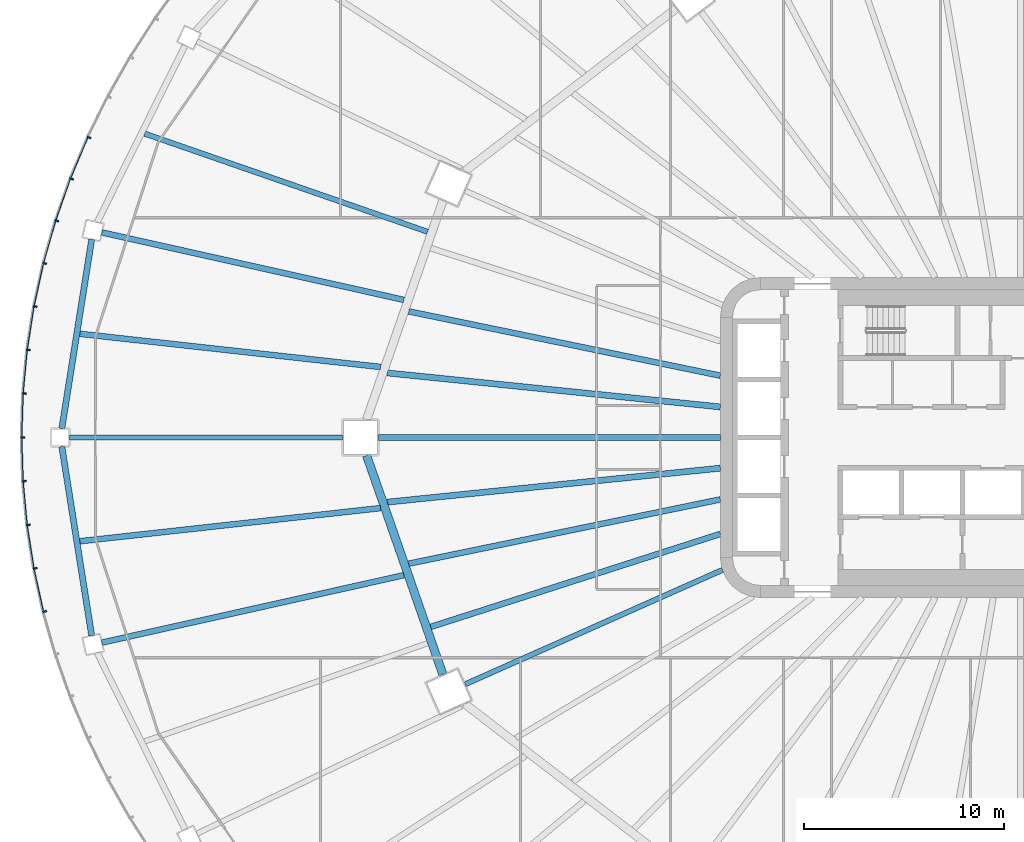
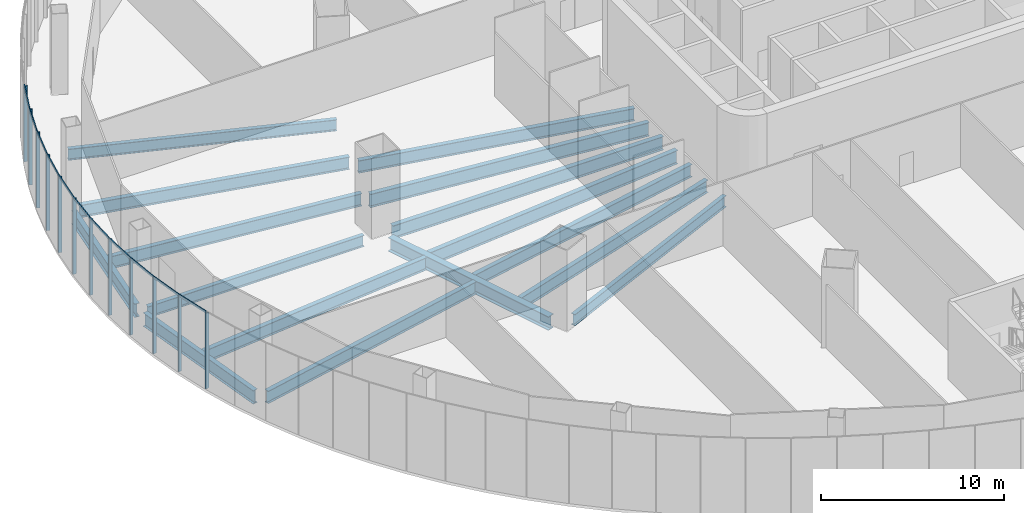
# One storey, part 6 of 42: 23 members, 16 beams, 3 elements without a shape of their own.
"""IFC4 building model written with IfcOpenShell, lengths in metres."""

from ifc_helpers import new_model, si_unit, direction, frame, origin, origin_2d, place, context, subcontext, project, spatial, rectangle, i_section, extrude, material, layer, layer_set, material_profile, profile_set, type_object, element, aggregate, save


model = new_model("IFC4")

# Units and contexts
model_context = context("Model", 3, precision=1e-05, world=origin(), true_north=direction((0.0, 1.0)))
body_context = subcontext(model_context, "Body", "Model", "MODEL_VIEW")
ifc_project = project(units=[si_unit("LENGTHUNIT", "METRE"), si_unit("AREAUNIT", "SQUARE_METRE"), si_unit("VOLUMEUNIT", "CUBIC_METRE"), si_unit("PLANEANGLEUNIT", "RADIAN"), si_unit("MASSUNIT", "GRAM", prefix="KILO")], contexts=[model_context])

# Site, building, storey
site_placement = place(None, origin())
site = spatial("IfcSite", under=ifc_project, at=site_placement, CompositionType="ELEMENT")
building_placement = place(site_placement, origin())
building = spatial("IfcBuilding", under=site, at=building_placement, Name="Sahrelin Media Tower", CompositionType="ELEMENT")
storey_placement = place(building_placement, frame((0.0, 0.0, 26.0)))
storey = spatial("IfcBuildingStorey", under=building, at=storey_placement, Name="L03", CompositionType="ELEMENT", Elevation=26.0)

# Curtain wall, members
ifc_material_1 = material(Name="Champagne anodised aluminium 6063-T6", Category="aluminium")
ifc_layer = layer(ifc_material_1, 0.14990234375)
ifc_layer_set = layer_set([ifc_layer], Name="Podium ribbon curtain wall")
curtain_wall_type = type_object("IfcCurtainWallType", Name="Podium ribbon curtain wall", PredefinedType="NOTDEFINED", material=ifc_layer_set)
curtain_wall_1_placement = place(storey_placement, frame((-43.30126953125, 21.0, 0.0), z_axis=(0.0, 0.0, 1.0), x_axis=(1.0, 0.0, 0.0)))
curtain_wall_1 = element("IfcCurtainWall", 1, at=curtain_wall_1_placement, inside=storey, type_object=curtain_wall_type, Name="L03:CW:L03-P10", PredefinedType="NOTDEFINED")
ifc_material_profile_1 = material_profile(ifc_material_1, rectangle(XDim=0.080078125, YDim=0.199951171875, at=origin_2d()), Name="Mullion 80x200")
ifc_profile_set_1 = profile_set([ifc_material_profile_1], Name="Champagne anodised aluminium 6063-T6")
member_type_1 = type_object("IfcMemberType", Name="Mullion 80x200 CW5", PredefinedType="MULLION", material=ifc_profile_set_1)
member_1_placement = place(storey_placement, frame((-46.568359375, 15.0048828125, 0.0), z_axis=(0.0, 0.0, 1.0), x_axis=(-0.388450189752, -0.921469722824, 0.0)))
member_1 = element("IfcMember", 2, at=member_1_placement, type_object=member_type_1, Name="L03:CWM4:L03-P10", PredefinedType="MULLION", context=body_context, shape_type="SweptSolid", body=[
    extrude(rectangle(XDim=0.080078125, YDim=0.199951171875, at=origin_2d()), origin(), (0.0, 0.0, 1.0), 5.050048828125),
])
member_2_placement = place(storey_placement, frame((-47.439697265625, 12.938720703125, 0.0), z_axis=(0.0, 0.0, 1.0), x_axis=(-0.332579242691, -0.943075313711, 0.0)))
member_2 = element("IfcMember", 3, at=member_2_placement, type_object=member_type_1, Name="L03:CWM5:L03-P10", PredefinedType="MULLION", context=body_context, shape_type="SweptSolid", body=[
    extrude(rectangle(XDim=0.080078125, YDim=0.199951171875, at=origin_2d()), origin(), (0.0, 0.0, 1.0), 5.050048828125),
])

curtain_wall_2_placement = place(storey_placement, frame((-48.29638671875, 10.870361328125, 0.0), z_axis=(0.0, 0.0, 1.0), x_axis=(1.0, 0.0, 0.0)))
curtain_wall_2 = element("IfcCurtainWall", 4, at=curtain_wall_2_placement, inside=storey, type_object=curtain_wall_type, Name="L03:CW:L03-P11", PredefinedType="NOTDEFINED")
member_3_placement = place(storey_placement, frame((-48.180908203125, 10.83740234375, 0.0), z_axis=(0.0, 0.0, 1.0), x_axis=(-0.274810138831, -0.961498511489, 0.0)))
member_3 = element("IfcMember", 5, at=member_3_placement, type_object=member_type_1, Name="L03:CWM1:L03-P11", PredefinedType="MULLION", context=body_context, shape_type="SweptSolid", body=[
    extrude(rectangle(XDim=0.080078125, YDim=0.199951171875, at=origin_2d()), origin(), (0.0, 0.0, 1.0), 5.050048828125),
])
member_4_placement = place(storey_placement, frame((-48.790283203125, 8.706298828125, 0.0), z_axis=(0.0, 0.0, 1.0), x_axis=(-0.215437572845, -0.976517614898, 0.0)))
member_4 = element("IfcMember", 6, at=member_4_placement, type_object=member_type_1, Name="L03:CWM2:L03-P11", PredefinedType="MULLION", context=body_context, shape_type="SweptSolid", body=[
    extrude(rectangle(XDim=0.080078125, YDim=0.199951171875, at=origin_2d()), origin(), (0.0, 0.0, 1.0), 5.050048828125),
])
member_5_placement = place(storey_placement, frame((-49.265869140625, 6.551513671875, 0.0), z_axis=(0.0, 0.0, 1.0), x_axis=(-0.154851778565, -0.987937713965, 0.0)))
member_5 = element("IfcMember", 7, at=member_5_placement, type_object=member_type_1, Name="L03:CWM3:L03-P11", PredefinedType="MULLION", context=body_context, shape_type="SweptSolid", body=[
    extrude(rectangle(XDim=0.080078125, YDim=0.199951171875, at=origin_2d()), origin(), (0.0, 0.0, 1.0), 5.050048828125),
])
member_6_placement = place(storey_placement, frame((-49.606689453125, 4.37890625, 0.0), z_axis=(0.0, 0.0, 1.0), x_axis=(-0.09329161754, -0.995638827134, 0.0)))
member_6 = element("IfcMember", 8, at=member_6_placement, type_object=member_type_1, Name="L03:CWM4:L03-P11", PredefinedType="MULLION", context=body_context, shape_type="SweptSolid", body=[
    extrude(rectangle(XDim=0.080078125, YDim=0.199951171875, at=origin_2d()), origin(), (0.0, 0.0, 1.0), 5.050048828125),
])
member_7_placement = place(storey_placement, frame((-49.8115234375, 2.1943359375, 0.0), z_axis=(0.0, 0.0, 1.0), x_axis=(-0.031147343317, -0.999514803794, 0.0)))
member_7 = element("IfcMember", 9, at=member_7_placement, type_object=member_type_1, Name="L03:CWM5:L03-P11", PredefinedType="MULLION", context=body_context, shape_type="SweptSolid", body=[
    extrude(rectangle(XDim=0.080078125, YDim=0.199951171875, at=origin_2d()), origin(), (0.0, 0.0, 1.0), 5.050048828125),
])

curtain_wall_3_placement = place(storey_placement, frame((-50.0, 0.0, 0.0), z_axis=(0.0, 0.0, 1.0), x_axis=(1.0, 0.0, 0.0)))
curtain_wall_3 = element("IfcCurtainWall", 10, at=curtain_wall_3_placement, inside=storey, type_object=curtain_wall_type, Name="L03:CW:L03-P12", PredefinedType="NOTDEFINED")
member_8_placement = place(storey_placement, frame((-49.880126953125, 0.003662109375, 0.0), z_axis=(0.0, 0.0, 1.0), x_axis=(0.031147343317, -0.999514803794, 0.0)))
member_8 = element("IfcMember", 11, at=member_8_placement, type_object=member_type_1, Name="L03:CWM1:L03-P12", PredefinedType="MULLION", context=body_context, shape_type="SweptSolid", body=[
    extrude(rectangle(XDim=0.080078125, YDim=0.199951171875, at=origin_2d()), origin(), (0.0, 0.0, 1.0), 5.050048828125),
])
member_9_placement = place(storey_placement, frame((-49.81201171875, -2.18701171875, 0.0), z_axis=(0.0, 0.0, 1.0), x_axis=(0.09329161754, -0.995638827134, 0.0)))
member_9 = element("IfcMember", 12, at=member_9_placement, type_object=member_type_1, Name="L03:CWM2:L03-P12", PredefinedType="MULLION", context=body_context, shape_type="SweptSolid", body=[
    extrude(rectangle(XDim=0.080078125, YDim=0.199951171875, at=origin_2d()), origin(), (0.0, 0.0, 1.0), 5.050048828125),
])
member_10_placement = place(storey_placement, frame((-49.607421875, -4.37158203125, 0.0), z_axis=(0.0, 0.0, 1.0), x_axis=(0.154851778565, -0.987937713965, 0.0)))
member_10 = element("IfcMember", 13, at=member_10_placement, type_object=member_type_1, Name="L03:CWM3:L03-P12", PredefinedType="MULLION", context=body_context, shape_type="SweptSolid", body=[
    extrude(rectangle(XDim=0.080078125, YDim=0.199951171875, at=origin_2d()), origin(), (0.0, 0.0, 1.0), 5.050048828125),
])
member_11_placement = place(storey_placement, frame((-49.26708984375, -6.544189453125, 0.0), z_axis=(0.0, 0.0, 1.0), x_axis=(0.215437572845, -0.976517614898, 0.0)))
member_11 = element("IfcMember", 14, at=member_11_placement, type_object=member_type_1, Name="L03:CWM4:L03-P12", PredefinedType="MULLION", context=body_context, shape_type="SweptSolid", body=[
    extrude(rectangle(XDim=0.080078125, YDim=0.199951171875, at=origin_2d()), origin(), (0.0, 0.0, 1.0), 5.050048828125),
])
member_12_placement = place(storey_placement, frame((-48.7919921875, -8.69921875, 0.0), z_axis=(0.0, 0.0, 1.0), x_axis=(0.274810138831, -0.961498511489, 0.0)))
member_12 = element("IfcMember", 15, at=member_12_placement, type_object=member_type_1, Name="L03:CWM5:L03-P12", PredefinedType="MULLION", context=body_context, shape_type="SweptSolid", body=[
    extrude(rectangle(XDim=0.080078125, YDim=0.199951171875, at=origin_2d()), origin(), (0.0, 0.0, 1.0), 5.050048828125),
])

# Beams
ifc_material_2 = material(Name="Steel S355", Category="steel")
ifc_material_profile_2 = material_profile(ifc_material_2, i_section(OverallWidth=0.30322265625, OverallDepth=0.903076171875, WebThickness=0.01513671875, FlangeThickness=0.020263671875, FilletRadius=0.01904296875, at=origin_2d()), Name="UB 914x305x201")
ifc_profile_set_2 = profile_set([ifc_material_profile_2], Name="Steel S355")
beam_type_1 = type_object("IfcBeamType", Name="Podium edge girder PE11", PredefinedType="BEAM", material=ifc_profile_set_2)
for number, where, z_axis, x_axis, name in (
    (16, (-46.434814453125, 9.907470703125, -0.651611328125), (-0.156048991104, -0.987749316565, 0.0), (0.987749316565, -0.156048991104, 0.0), "Podium edge girder L03-12"),
    (17, (-47.928955078125, -0.449951171875, -0.651611328125), (0.156048991104, -0.987749316565, 0.0), (0.987749316565, 0.156048991104, 0.0), "Podium edge girder L03-13"),
):
    element("IfcBeam", number, at=place(storey_placement, frame(where, z_axis=z_axis, x_axis=x_axis)), inside=storey, type_object=beam_type_1, Name=name, PredefinedType="BEAM", context=body_context, shape_type="SweptSolid", body=[
        extrude(i_section(OverallWidth=0.30322265625, OverallDepth=0.903076171875, WebThickness=0.01513671875, FlangeThickness=0.020263671875, FilletRadius=0.01904296875, at=origin_2d()), origin(), (0.0, 0.0, 1.0), 9.57470703125),
    ])
ifc_material_profile_3 = material_profile(ifc_material_2, i_section(OverallWidth=0.41845703125, OverallDepth=0.911865234375, WebThickness=0.019287109375, FlangeThickness=0.031982421875, FilletRadius=0.024169921875, at=origin_2d()), Name="UB 914x419x343")
ifc_profile_set_3 = profile_set([ifc_material_profile_3], Name="Steel S355")
beam_type_2 = type_object("IfcBeamType", Name="Podium ring girder PG12", PredefinedType="BEAM", material=ifc_profile_set_3)
beam_1_placement = place(storey_placement, frame((-32.686767578125, -0.89990234375, -0.656005859375), z_axis=(0.328773851324, -0.944408679908, 0.0), x_axis=(0.944408679908, 0.328773851324, 0.0)))
element("IfcBeam", 18, at=beam_1_placement, inside=storey, type_object=beam_type_2, Name="Podium girder L03-07", PredefinedType="BEAM", context=body_context, shape_type="SweptSolid", body=[
    extrude(i_section(OverallWidth=0.41845703125, OverallDepth=0.911865234375, WebThickness=0.019287109375, FlangeThickness=0.031982421875, FilletRadius=0.024169921875, at=origin_2d()), origin(), (0.0, 0.0, 1.0), 11.591552734375),
])
ifc_material_profile_4 = material_profile(ifc_material_2, i_section(OverallWidth=0.291748046875, OverallDepth=0.8349609375, WebThickness=0.013916015625, FlangeThickness=0.018798828125, FilletRadius=0.017822265625, at=origin_2d()), Name="UB 838x292x176")
ifc_profile_set_4 = profile_set([ifc_material_profile_4], Name="Steel S355")
beam_type_3 = type_object("IfcBeamType", Name="Radial primary beam PB10", PredefinedType="BEAM", material=ifc_profile_set_4)
for number, where, z_axis, x_axis, name in (
    (19, (-15.0, 3.093505859375, -0.617431640625), (-0.979386832716, 0.201993643221, 0.0), (-0.201993643221, -0.979386832716, 0.0), "Radial beam L03-12"),
    (20, (-15.0, -3.093505859375, -0.617431640625), (-0.979386832716, -0.201993643221, 0.0), (0.201993643221, -0.979386832716, 0.0), "Radial beam L03-14"),
):
    element("IfcBeam", number, at=place(storey_placement, frame(where, z_axis=z_axis, x_axis=x_axis)), inside=storey, type_object=beam_type_3, Name=name, PredefinedType="BEAM", context=body_context, shape_type="SweptSolid", body=[
        extrude(i_section(OverallWidth=0.291748046875, OverallDepth=0.8349609375, WebThickness=0.013916015625, FlangeThickness=0.018798828125, FilletRadius=0.017822265625, at=origin_2d()), origin(), (0.0, 0.0, 1.0), 15.91064453125),
    ])
for number, where, z_axis, x_axis, name in (
    (21, (-30.825439453125, 6.883056640625, -0.617431640625), (-0.975966755314, 0.217919463385, 0.0), (-0.217919463385, -0.975966755314, 0.0), "Radial beam L03-14"),
    (22, (-30.825439453125, -6.883056640625, -0.617431640625), (-0.975966755314, -0.217919463385, 0.0), (0.217919463385, -0.975966755314, 0.0), "Radial beam L03-16"),
):
    element("IfcBeam", number, at=place(storey_placement, frame(where, z_axis=z_axis, x_axis=x_axis)), inside=storey, type_object=beam_type_3, Name=name, PredefinedType="BEAM", context=body_context, shape_type="SweptSolid", body=[
        extrude(i_section(OverallWidth=0.291748046875, OverallDepth=0.8349609375, WebThickness=0.013916015625, FlangeThickness=0.018798828125, FilletRadius=0.017822265625, at=origin_2d()), origin(), (0.0, 0.0, 1.0), 15.4716796875),
    ])
ifc_material_profile_5 = material_profile(ifc_material_2, i_section(OverallWidth=0.30322265625, OverallDepth=0.903076171875, WebThickness=0.01513671875, FlangeThickness=0.020263671875, FilletRadius=0.01904296875, at=origin_2d()), Name="UB 914x305x201")
ifc_profile_set_5 = profile_set([ifc_material_profile_5], Name="Steel S355")
beam_type_4 = type_object("IfcBeamType", Name="Radial primary beam PB11", PredefinedType="BEAM", material=ifc_profile_set_5)
beam_2_placement = place(storey_placement, frame((-15.0, 0.0, -0.651611328125), z_axis=(-1.0, 0.0, 0.0), x_axis=(0.0, -1.0, 0.0)))
element("IfcBeam", 23, at=beam_2_placement, inside=storey, type_object=beam_type_4, Name="Radial beam L03-13", PredefinedType="BEAM", context=body_context, shape_type="SweptSolid", body=[
    extrude(i_section(OverallWidth=0.30322265625, OverallDepth=0.903076171875, WebThickness=0.01513671875, FlangeThickness=0.020263671875, FilletRadius=0.01904296875, at=origin_2d()), origin(), (0.0, 0.0, 1.0), 17.10009765625),
])
ifc_material_profile_6 = material_profile(ifc_material_2, i_section(OverallWidth=0.26513671875, OverallDepth=0.75390625, WebThickness=0.0126953125, FlangeThickness=0.017578125, FilletRadius=0.0166015625, at=origin_2d()), Name="UB 762x267x147")
ifc_profile_set_6 = profile_set([ifc_material_profile_6], Name="Steel S355")
beam_type_5 = type_object("IfcBeamType", Name="Radial primary beam PB9", PredefinedType="BEAM", material=ifc_profile_set_6)
beam_3_placement = place(storey_placement, frame((-14.890625, -6.6171875, -0.576904296875), z_axis=(-0.913833000058, -0.406090196883, 0.0), x_axis=(0.406090196883, -0.913833000058, 0.0)))
element("IfcBeam", 24, at=beam_3_placement, inside=storey, type_object=beam_type_5, Name="Radial beam L03-15", PredefinedType="BEAM", context=body_context, shape_type="SweptSolid", body=[
    extrude(i_section(OverallWidth=0.26513671875, OverallDepth=0.75390625, WebThickness=0.0126953125, FlangeThickness=0.017578125, FilletRadius=0.0166015625, at=origin_2d()), origin(), (0.0, 0.0, 1.0), 14.078857421875),
])
beam_4_placement = place(storey_placement, frame((-33.89990234375, 0.0, -0.576904296875), z_axis=(-1.0, 0.0, 0.0), x_axis=(0.0, -1.0, 0.0)))
element("IfcBeam", 25, at=beam_4_placement, inside=storey, type_object=beam_type_5, Name="Radial beam L03-15", PredefinedType="BEAM", context=body_context, shape_type="SweptSolid", body=[
    extrude(i_section(OverallWidth=0.26513671875, OverallDepth=0.75390625, WebThickness=0.0126953125, FlangeThickness=0.017578125, FilletRadius=0.0166015625, at=origin_2d()), origin(), (0.0, 0.0, 1.0), 13.650146484375),
])
ifc_material_profile_7 = material_profile(ifc_material_2, i_section(OverallWidth=0.291748046875, OverallDepth=0.8349609375, WebThickness=0.013916015625, FlangeThickness=0.018798828125, FilletRadius=0.017822265625, at=origin_2d()), Name="UB 838x292x176")
ifc_profile_set_7 = profile_set([ifc_material_profile_7], Name="Steel S355")
beam_type_6 = type_object("IfcBeamType", Name="Radial secondary beam SB10", PredefinedType="BEAM", material=ifc_profile_set_7)
beam_5_placement = place(storey_placement, frame((-15.0, -4.81787109375, -0.617431640625), z_axis=(-0.952096340592, -0.305798231244, 0.0), x_axis=(0.305798231244, -0.952096340592, 0.0)))
element("IfcBeam", 26, at=beam_5_placement, inside=storey, type_object=beam_type_6, Name="Secondary beam L03-14", PredefinedType="BEAM", context=body_context, shape_type="SweptSolid", body=[
    extrude(i_section(OverallWidth=0.291748046875, OverallDepth=0.8349609375, WebThickness=0.013916015625, FlangeThickness=0.018798828125, FilletRadius=0.017822265625, at=origin_2d()), origin(), (0.0, 0.0, 1.0), 15.210693359375),
])
for number, where, z_axis, x_axis, name in (
    (27, (-31.9931640625, 3.528564453125, -0.617431640625), (-0.993973950123, 0.109616542901, 0.0), (-0.109616542901, -0.993973950123, 0.0), "Secondary beam L03-12"),
    (28, (-31.9931640625, -3.528564453125, -0.617431640625), (-0.993973950123, -0.109616542901, 0.0), (0.109616542901, -0.993973950123, 0.0), "Secondary beam L03-13"),
):
    element("IfcBeam", number, at=place(storey_placement, frame(where, z_axis=z_axis, x_axis=x_axis)), inside=storey, type_object=beam_type_6, Name=name, PredefinedType="BEAM", context=body_context, shape_type="SweptSolid", body=[
        extrude(i_section(OverallWidth=0.291748046875, OverallDepth=0.8349609375, WebThickness=0.013916015625, FlangeThickness=0.018798828125, FilletRadius=0.017822265625, at=origin_2d()), origin(), (0.0, 0.0, 1.0), 15.125),
    ])
ifc_material_profile_8 = material_profile(ifc_material_2, i_section(OverallWidth=0.30322265625, OverallDepth=0.903076171875, WebThickness=0.01513671875, FlangeThickness=0.020263671875, FilletRadius=0.01904296875, at=origin_2d()), Name="UB 914x305x201")
ifc_profile_set_8 = profile_set([ifc_material_profile_8], Name="Steel S355")
beam_type_7 = type_object("IfcBeamType", Name="Radial secondary beam SB11", PredefinedType="BEAM", material=ifc_profile_set_8)
for number, where, z_axis, x_axis, name in (
    (29, (-15.0, 1.53076171875, -0.651611328125), (-0.994833571419, 0.10151928476, 0.0), (-0.10151928476, -0.994833571419, 0.0), "Secondary beam L03-12"),
    (30, (-15.0, -1.53076171875, -0.651611328125), (-0.994833571419, -0.10151928476, 0.0), (0.10151928476, -0.994833571419, 0.0), "Secondary beam L03-13"),
):
    element("IfcBeam", number, at=place(storey_placement, frame(where, z_axis=z_axis, x_axis=x_axis)), inside=storey, type_object=beam_type_7, Name=name, PredefinedType="BEAM", context=body_context, shape_type="SweptSolid", body=[
        extrude(i_section(OverallWidth=0.30322265625, OverallDepth=0.903076171875, WebThickness=0.01513671875, FlangeThickness=0.020263671875, FilletRadius=0.01904296875, at=origin_2d()), origin(), (0.0, 0.0, 1.0), 16.740234375),
    ])
ifc_material_profile_9 = material_profile(ifc_material_2, i_section(OverallWidth=0.26513671875, OverallDepth=0.75390625, WebThickness=0.0126953125, FlangeThickness=0.017578125, FilletRadius=0.0166015625, at=origin_2d()), Name="UB 762x267x147")
ifc_profile_set_9 = profile_set([ifc_material_profile_9], Name="Steel S355")
beam_type_8 = type_object("IfcBeamType", Name="Radial secondary beam SB9", PredefinedType="BEAM", material=ifc_profile_set_9)
beam_6_placement = place(storey_placement, frame((-29.640380859375, 10.287109375, -0.576904296875), z_axis=(-0.944713020182, 0.32789832189, 0.0), x_axis=(-0.32789832189, -0.944713020182, 0.0)))
element("IfcBeam", 31, at=beam_6_placement, inside=storey, type_object=beam_type_8, Name="Secondary beam L03-11", PredefinedType="BEAM", context=body_context, shape_type="SweptSolid", body=[
    extrude(i_section(OverallWidth=0.26513671875, OverallDepth=0.75390625, WebThickness=0.0126953125, FlangeThickness=0.017578125, FilletRadius=0.0166015625, at=origin_2d()), origin(), (0.0, 0.0, 1.0), 14.974609375),
])

# Member
ifc_material_profile_10 = material_profile(ifc_material_1, rectangle(XDim=0.06005859375, YDim=0.14990234375, at=origin_2d()), Name="Transom 60x150")
ifc_profile_set_10 = profile_set([ifc_material_profile_10], Name="Champagne anodised aluminium 6063-T6")
member_type_2 = type_object("IfcMemberType", Name="Transom 60x150 CW5", PredefinedType="USERDEFINED", material=ifc_profile_set_10)
member_13_placement = place(storey_placement, frame((-46.65234375, 14.986083984375, 5.125), z_axis=(-0.388379521363, -0.921499510247, 0.0), x_axis=(0.921499510247, -0.388379521363, 0.0)))
member_13 = element("IfcMember", 32, at=member_13_placement, type_object=member_type_2, Name="L03:CWT4a:L03-P10", ObjectType="TRANSOM", PredefinedType="USERDEFINED", context=body_context, shape_type="SweptSolid", body=[
    extrude(rectangle(XDim=0.06005859375, YDim=0.14990234375, at=origin_2d()), origin(), (0.0, 0.0, 1.0), 2.199462890625),
])

member_14_placement = place(storey_placement, frame((-47.522216796875, 12.914794921875, 5.125), z_axis=(-0.332568838179, -0.943078982839, 0.0), x_axis=(0.943078982839, -0.332568838179, 0.0)))
member_14 = element("IfcMember", 33, at=member_14_placement, type_object=member_type_2, Name="L03:CWT5a:L03-P10", ObjectType="TRANSOM", PredefinedType="USERDEFINED", context=body_context, shape_type="SweptSolid", body=[
    extrude(rectangle(XDim=0.06005859375, YDim=0.14990234375, at=origin_2d()), origin(), (0.0, 0.0, 1.0), 2.185546875),
])

aggregate(curtain_wall_1, [member_1, member_13, member_2, member_14])

member_15_placement = place(storey_placement, frame((-48.261962890625, 10.80859375, 5.125), z_axis=(-0.274824960972, -0.961494274984, 0.0), x_axis=(0.961494274984, -0.274824960972, 0.0)))
member_15 = element("IfcMember", 34, at=member_15_placement, type_object=member_type_2, Name="L03:CWT1a:L03-P11", ObjectType="TRANSOM", PredefinedType="USERDEFINED", context=body_context, shape_type="SweptSolid", body=[
    extrude(rectangle(XDim=0.06005859375, YDim=0.14990234375, at=origin_2d()), origin(), (0.0, 0.0, 1.0), 2.173828125),
])

member_16_placement = place(storey_placement, frame((-48.869384765625, 8.672607421875, 5.125), z_axis=(-0.21547293686, -0.976509812281, 0.0), x_axis=(0.976509812281, -0.21547293686, 0.0)))
member_16 = element("IfcMember", 35, at=member_16_placement, type_object=member_type_2, Name="L03:CWT2a:L03-P11", ObjectType="TRANSOM", PredefinedType="USERDEFINED", context=body_context, shape_type="SweptSolid", body=[
    extrude(rectangle(XDim=0.06005859375, YDim=0.14990234375, at=origin_2d()), origin(), (0.0, 0.0, 1.0), 2.1640625),
])

member_17_placement = place(storey_placement, frame((-49.3427734375, 6.51318359375, 5.125), z_axis=(-0.154863781247, -0.987935832561, 0.0), x_axis=(0.987935832561, -0.154863781247, 0.0)))
member_17 = element("IfcMember", 36, at=member_17_placement, type_object=member_type_2, Name="L03:CWT3a:L03-P11", ObjectType="TRANSOM", PredefinedType="USERDEFINED", context=body_context, shape_type="SweptSolid", body=[
    extrude(rectangle(XDim=0.06005859375, YDim=0.14990234375, at=origin_2d()), origin(), (0.0, 0.0, 1.0), 2.15673828125),
])

member_18_placement = place(storey_placement, frame((-49.680908203125, 4.335693359375, 5.125), z_axis=(-0.093266896829, -0.995641143161, 0.0), x_axis=(0.995641143161, -0.093266896829, 0.0)))
member_18 = element("IfcMember", 37, at=member_18_placement, type_object=member_type_2, Name="L03:CWT4a:L03-P11", ObjectType="TRANSOM", PredefinedType="USERDEFINED", context=body_context, shape_type="SweptSolid", body=[
    extrude(rectangle(XDim=0.06005859375, YDim=0.14990234375, at=origin_2d()), origin(), (0.0, 0.0, 1.0), 2.151611328125),
])

member_19_placement = place(storey_placement, frame((-49.883056640625, 2.146484375, 5.125), z_axis=(-0.031124815153, -0.999515505573, 0.0), x_axis=(0.999515505573, -0.031124815153, 0.0)))
member_19 = element("IfcMember", 38, at=member_19_placement, type_object=member_type_2, Name="L03:CWT5a:L03-P11", ObjectType="TRANSOM", PredefinedType="USERDEFINED", context=body_context, shape_type="SweptSolid", body=[
    extrude(rectangle(XDim=0.06005859375, YDim=0.14990234375, at=origin_2d()), origin(), (0.0, 0.0, 1.0), 2.149169921875),
])

aggregate(curtain_wall_2, [member_3, member_15, member_4, member_16, member_5, member_17, member_6, member_18, member_7, member_19])

member_20_placement = place(storey_placement, frame((-49.948486328125, -0.04833984375, 5.125), z_axis=(0.031124815153, -0.999515505573, 0.0), x_axis=(0.999515505573, 0.031124815153, 0.0)))
member_20 = element("IfcMember", 39, at=member_20_placement, type_object=member_type_2, Name="L03:CWT1a:L03-P12", ObjectType="TRANSOM", PredefinedType="USERDEFINED", context=body_context, shape_type="SweptSolid", body=[
    extrude(rectangle(XDim=0.06005859375, YDim=0.14990234375, at=origin_2d()), origin(), (0.0, 0.0, 1.0), 2.149169921875),
])

member_21_placement = place(storey_placement, frame((-49.877197265625, -2.2431640625, 5.125), z_axis=(0.093379371436, -0.99563060067, 0.0), x_axis=(0.99563060067, 0.093379371436, 0.0)))
member_21 = element("IfcMember", 40, at=member_21_placement, type_object=member_type_2, Name="L03:CWT2a:L03-P12", ObjectType="TRANSOM", PredefinedType="USERDEFINED", context=body_context, shape_type="SweptSolid", body=[
    extrude(rectangle(XDim=0.06005859375, YDim=0.14990234375, at=origin_2d()), origin(), (0.0, 0.0, 1.0), 2.15185546875),
])

member_22_placement = place(storey_placement, frame((-49.6689453125, -4.431884765625, 5.125), z_axis=(0.154863781247, -0.987935832561, 0.0), x_axis=(0.987935832561, 0.154863781247, 0.0)))
member_22 = element("IfcMember", 41, at=member_22_placement, type_object=member_type_2, Name="L03:CWT3a:L03-P12", ObjectType="TRANSOM", PredefinedType="USERDEFINED", context=body_context, shape_type="SweptSolid", body=[
    extrude(rectangle(XDim=0.06005859375, YDim=0.14990234375, at=origin_2d()), origin(), (0.0, 0.0, 1.0), 2.15673828125),
])

member_23_placement = place(storey_placement, frame((-49.32470703125, -6.6083984375, 5.125), z_axis=(0.215389086642, -0.976528310575, 0.0), x_axis=(0.976528310575, 0.215389086642, 0.0)))
member_23 = element("IfcMember", 42, at=member_23_placement, type_object=member_type_2, Name="L03:CWT4a:L03-P12", ObjectType="TRANSOM", PredefinedType="USERDEFINED", context=body_context, shape_type="SweptSolid", body=[
    extrude(rectangle(XDim=0.06005859375, YDim=0.14990234375, at=origin_2d()), origin(), (0.0, 0.0, 1.0), 2.163818359375),
])

aggregate(curtain_wall_3, [member_8, member_20, member_9, member_21, member_10, member_22, member_11, member_23, member_12])

save(model, "model.ifc")
